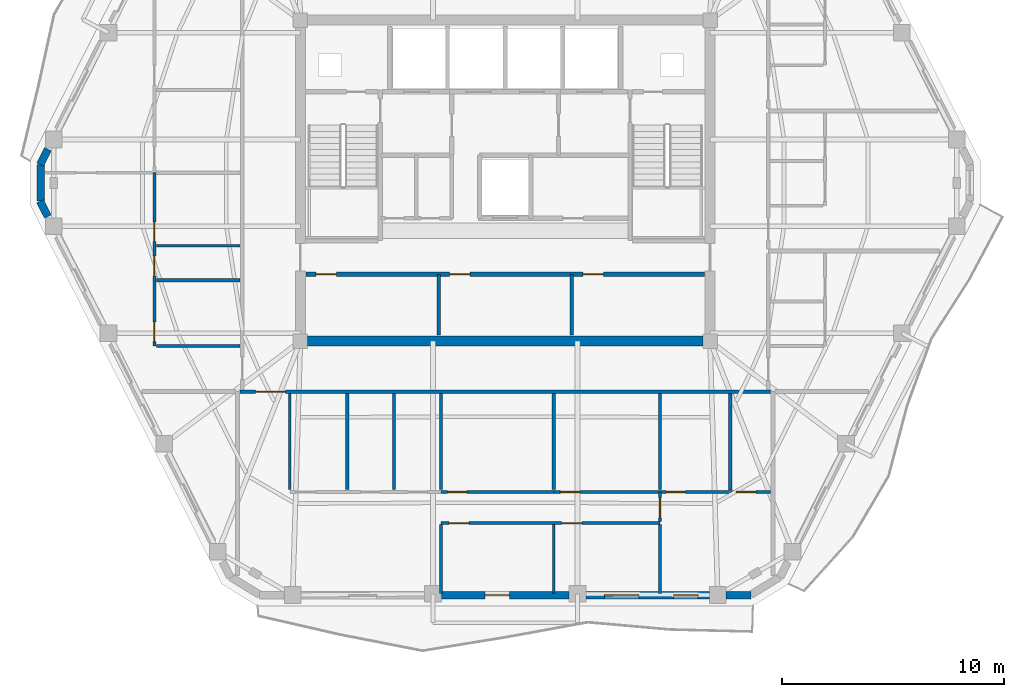
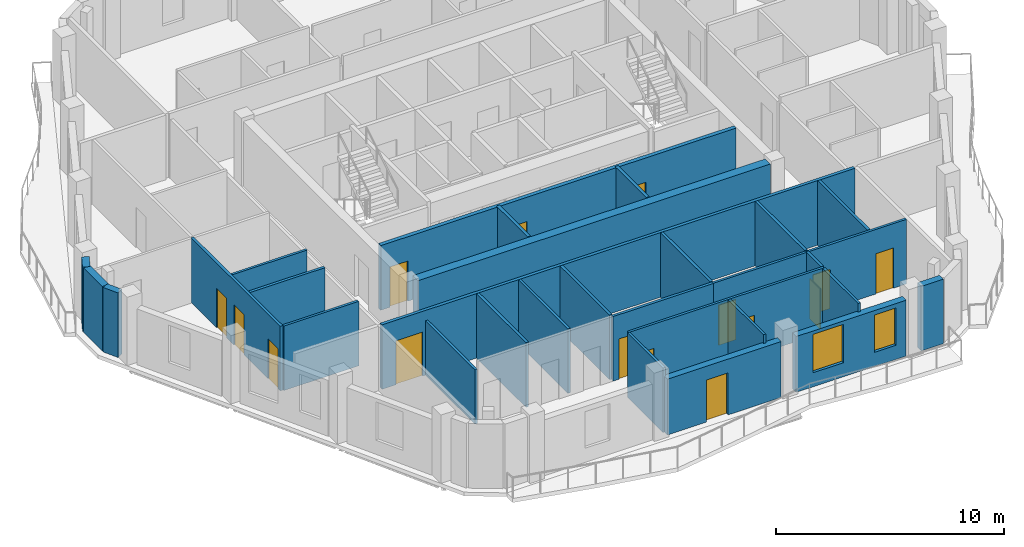
# One storey, part 4 of 11: 29 walls, 15 doors, 2 windows, 17 openings.
"""IFC4 building model written with IfcOpenShell, lengths in metres."""

import ifcopenshell
import ifcopenshell.guid

model = None  # the IFC model being written
_history = None  # IfcOwnerHistory: only IFC2X3 demands one
_inside = {}  # id of a spatial element -> (the spatial element, [elements in it])
_under = {}  # id of a project, library or spatial element -> (it, [spatial elements below it])
_declared = {}  # id of a project -> (the project, [libraries it declares])
_typed = {}  # id of a type object -> (the type object, [elements of that type])
_made_of = {}  # id of a material, layer set ... -> (it, [elements and type objects made of it])


def new_model(schema):
    """Start an empty IFC model of exactly this schema.

    Asked for "IFC4X3", IfcOpenShell would pick the latest addendum, in which some entities
    have other attributes; the version numbers below select the first issue.
    IFC2X3 requires an IfcOwnerHistory on every rooted entity: one is made here for all.
    """
    global model, _history
    if schema == "IFC4X3":
        model = ifcopenshell.file(schema_version=(4, 3, 0, 0))
    else:
        model = ifcopenshell.file(schema=schema)
    _inside.clear()
    _under.clear()
    _declared.clear()
    _typed.clear()
    _made_of.clear()
    _history = None
    if model.schema == "IFC2X3":
        org = make("IfcOrganization", Name="unknown")
        user = make(
            "IfcPersonAndOrganization",
            ThePerson=make("IfcPerson", FamilyName="unknown"),
            TheOrganization=org,
        )
        app = make(
            "IfcApplication",
            ApplicationDeveloper=org,
            Version="unknown",
            ApplicationFullName="unknown",
            ApplicationIdentifier="unknown",
        )
        _history = make(
            "IfcOwnerHistory",
            OwningUser=user,
            OwningApplication=app,
            ChangeAction="ADDED",
            CreationDate=0,
        )
    return model


def make(cls, **values):
    """One entity of the class cls with the attributes given. An attribute that is None is left unset."""
    return model.create_entity(
        cls, **{name: value for name, value in values.items() if value is not None}
    )


def rooted(cls, **values):
    """An entity with a GlobalId (a new one), such as an element, a storey or a relation."""
    return make(cls, GlobalId=ifcopenshell.guid.new(), OwnerHistory=_history, **values)


def si_unit(unit_type, name, prefix=None):
    """IfcSIUnit, for example si_unit("LENGTHUNIT", "METRE", prefix="MILLI")."""
    return make("IfcSIUnit", UnitType=unit_type, Prefix=prefix, Name=name)


def assignment(units):
    """IfcUnitAssignment: the units of a project."""
    return None if units is None else make("IfcUnitAssignment", Units=units)


def point(xyz):
    """IfcCartesianPoint."""
    return None if xyz is None else make("IfcCartesianPoint", Coordinates=xyz)


def direction(xyz):
    """IfcDirection."""
    return None if xyz is None else make("IfcDirection", DirectionRatios=xyz)


def frame(location, z_axis=None, x_axis=None):
    """IfcAxis2Placement3D, a coordinate frame: its origin and axes. An axis left out is left unset."""
    return make(
        "IfcAxis2Placement3D",
        Location=point(location),
        Axis=direction(z_axis),
        RefDirection=direction(x_axis),
    )


def frame_2d(location, x_axis=None):
    """IfcAxis2Placement2D, a coordinate frame in the plane: its origin and x axis."""
    return make(
        "IfcAxis2Placement2D", Location=point(location), RefDirection=direction(x_axis)
    )


def origin():
    """The frame at (0, 0, 0) with its axes left unset."""
    return frame((0.0, 0.0, 0.0))


def place(relative_to, where):
    """IfcLocalPlacement: puts the frame where relative to a parent placement (None: the world)."""
    return make(
        "IfcLocalPlacement", PlacementRelTo=relative_to, RelativePlacement=where
    )


def context(
    kind, dimensions, precision=None, world=None, true_north=None, identifier=None
):
    """IfcGeometricRepresentationContext, for example the 3D "Model" context."""
    return make(
        "IfcGeometricRepresentationContext",
        ContextIdentifier=identifier,
        ContextType=kind,
        CoordinateSpaceDimension=dimensions,
        Precision=precision,
        WorldCoordinateSystem=world,
        TrueNorth=true_north,
    )


def subcontext(parent, identifier, kind, view, scale=None):
    """IfcGeometricRepresentationSubContext, for example "Body" below "Model"."""
    return make(
        "IfcGeometricRepresentationSubContext",
        ContextIdentifier=identifier,
        ContextType=kind,
        ParentContext=parent,
        TargetScale=scale,
        TargetView=view,
    )


def project(units=None, contexts=None):
    """IfcProject with its units and contexts."""
    return rooted(
        "IfcProject",
        Name="project",
        RepresentationContexts=contexts,
        UnitsInContext=assignment(units),
    )


def spatial(cls, under=None, at=None, **own):
    """A site, building, storey or space (cls), placed at a placement, below another one or the project."""
    s = rooted(cls, ObjectPlacement=at, **own)
    if under is not None:
        _under.setdefault(under.id(), (under, []))[1].append(s)
    return s


def profile(cls, at=None, kind="AREA", **sizes):
    """A parametric profile (cls). Its sizes go by their IFC names, for example OverallWidth=200.0."""
    return make(cls, ProfileType=kind, Position=at, **sizes)


def rectangle(**sizes):
    """IfcRectangleProfileDef."""
    return profile("IfcRectangleProfileDef", **sizes)


def extrude(swept, where, along, depth):
    """IfcExtrudedAreaSolid: the profile swept, set in the frame where, extruded along a direction by depth."""
    return make(
        "IfcExtrudedAreaSolid",
        SweptArea=swept,
        Position=where,
        ExtrudedDirection=direction(along),
        Depth=depth,
    )


def shape(context_of_items, identifier, shape_type, items):
    """IfcShapeRepresentation: the items that make up one representation, for example the "Body"."""
    return make(
        "IfcShapeRepresentation",
        ContextOfItems=context_of_items,
        RepresentationIdentifier=identifier,
        RepresentationType=shape_type,
        Items=items,
    )


def material(Name=None, Category=None):
    """IfcMaterial."""
    return make("IfcMaterial", Name=Name, Category=Category)


def layer(
    of_material, thickness, ventilated=None, Name=None, Category=None, Priority=None
):
    """IfcMaterialLayer: one layer of a wall or slab, of a material (None: an air gap)."""
    return make(
        "IfcMaterialLayer",
        Material=of_material,
        LayerThickness=thickness,
        IsVentilated=ventilated,
        Name=Name,
        Category=Category,
        Priority=Priority,
    )


def layer_set(layers, Name=None):
    """IfcMaterialLayerSet."""
    return make("IfcMaterialLayerSet", MaterialLayers=layers, LayerSetName=Name)


def made_of(thing, what):
    """Note that an element or type object is made of a material, layer set ...; save() writes the relation."""
    if what is not None:
        _made_of.setdefault(what.id(), (what, []))[1].append(thing)
    return thing


def type_object(cls, material=None, **own):
    """A type object (cls), such as IfcWallType, which elements share."""
    return made_of(rooted(cls, **own), material)


def element(
    cls,
    number,
    at=None,
    inside=None,
    cuts=None,
    type_object=None,
    material=None,
    context=None,
    identifier="Body",
    shape_type=None,
    held_by="IfcProductDefinitionShape",
    body=None,
    shapes=None,
    **own,
):
    """One element of the class cls, such as IfcWall. Its Tag is "e" and its number.

    at: its placement. inside: the storey or other place that contains it. cuts: it is an
    opening in that element (IfcRelVoidsElement). A single representation is given by context,
    identifier, shape_type and body (its items); several are given by shapes. held_by: the class
    of the entity that holds the representations. save() writes the other relations.
    """
    e = rooted(cls, Tag="e%d" % number, ObjectPlacement=at, **own)
    if body is not None:
        shapes = [shape(context, identifier, shape_type, body)]
    if shapes is not None:
        e.Representation = make(held_by, Representations=shapes)
    if inside is not None:
        _inside.setdefault(inside.id(), (inside, []))[1].append(e)
    if cuts is not None:
        rooted(
            "IfcRelVoidsElement", RelatingBuildingElement=cuts, RelatedOpeningElement=e
        )
    if type_object is not None:
        _typed.setdefault(type_object.id(), (type_object, []))[1].append(e)
    return made_of(e, material)


def fill(opening, filler):
    """IfcRelFillsElement: the door or window that sits in an opening."""
    return rooted(
        "IfcRelFillsElement",
        RelatingOpeningElement=opening,
        RelatedBuildingElement=filler,
    )


def aggregate(whole, parts):
    """IfcRelAggregates: a whole, such as a stair, and the parts it consists of."""
    return rooted("IfcRelAggregates", RelatingObject=whole, RelatedObjects=parts)


def save(model, path):
    """Write the relations noted so far, then the file.

    IfcRelAggregates (storeys below a building ...), IfcRelContainedInSpatialStructure (elements
    in a storey), IfcRelDefinesByType, IfcRelAssociatesMaterial and IfcRelDeclares: one each for
    every whole, place, type object, material and project.
    """
    for whole, parts in _under.values():
        aggregate(whole, parts)
    for where, things in _inside.values():
        rooted(
            "IfcRelContainedInSpatialStructure",
            RelatedElements=things,
            RelatingStructure=where,
        )
    for kind, things in _typed.values():
        rooted("IfcRelDefinesByType", RelatedObjects=things, RelatingType=kind)
    for what, things in _made_of.values():
        rooted("IfcRelAssociatesMaterial", RelatedObjects=things, RelatingMaterial=what)
    for by, libraries in _declared.values():
        rooted("IfcRelDeclares", RelatingContext=by, RelatedDefinitions=libraries)
    model.write(path)


model = new_model("IFC4")

# Units and contexts
model_context = context("Model", 3, precision=1e-05, world=origin(), true_north=direction((0.0, 1.0)))
body_context = subcontext(model_context, "Body", "Model", "MODEL_VIEW")
ifc_project = project(units=[si_unit("LENGTHUNIT", "METRE"), si_unit("AREAUNIT", "SQUARE_METRE"), si_unit("VOLUMEUNIT", "CUBIC_METRE"), si_unit("PLANEANGLEUNIT", "RADIAN"), si_unit("MASSUNIT", "GRAM", prefix="KILO")], contexts=[model_context])

# Site, building, storey
site_placement = place(None, origin())
site = spatial("IfcSite", under=ifc_project, at=site_placement, CompositionType="ELEMENT")
building_placement = place(site_placement, origin())
building = spatial("IfcBuilding", under=site, at=building_placement, Name="Cinnabar Lancet Tower", CompositionType="ELEMENT")
storey_placement = place(building_placement, frame((0.0, 0.0, 252.550048828125)))
storey = spatial("IfcBuildingStorey", under=building, at=storey_placement, Name="L67", CompositionType="ELEMENT", Elevation=252.550048828125)

# Walls
ifc_material_1 = material(Name="Acoustic twin-stud gypsum partition", Category="gypsum")
ifc_layer_1 = layer(ifc_material_1, 0.159912109375)
ifc_layer_set_1 = layer_set([ifc_layer_1], Name="Acoustic twin-stud gypsum partition")
wall_type_1 = type_object("IfcWallType", Name="ARC-WL-CORR-160", PredefinedType="PARTITIONING", material=ifc_layer_set_1)
for number, where, z_axis, x_axis, name in (
    (1, (29.39990234375, 18.949951171875, 0.0), (0.0, 0.0, 1.0), (0.0, 1.0, 0.0), "CW-SB-2940-L67"),
    (2, (35.39990234375, 18.949951171875, 0.0), (0.0, 0.0, 1.0), (0.0, 1.0, 0.0), "CW-SB-3540-L67"),
):
    element("IfcWall", number, at=place(storey_placement, frame(where, z_axis=z_axis, x_axis=x_axis)), inside=storey, type_object=wall_type_1, Name=name, PredefinedType="PARTITIONING", context=body_context, shape_type="SweptSolid", body=[
        extrude(rectangle(XDim=2.72998046875, YDim=0.159912109375, at=frame_2d((1.364990234375, 0.0))), origin(), (0.0, 0.0, 1.0), 3.449951171875),
    ])

# Wall, opening, door
wall_1_placement = place(storey_placement, frame((20.445068359375, 16.39990234375, 0.0), z_axis=(0.0, 0.0, 1.0), x_axis=(1.0, 0.0, 0.0)))
wall_1 = element("IfcWall", 3, at=wall_1_placement, inside=storey, type_object=wall_type_1, Name="L67 Unit S01 Corridor Wall", PredefinedType="PARTITIONING", context=body_context, shape_type="SweptSolid", body=[
    extrude(rectangle(XDim=23.909912109375, YDim=0.159912109375, at=frame_2d((11.955078125, 0.0))), origin(), (0.0, 0.0, 1.0), 3.449951171875),
])
opening_1_placement = place(wall_1_placement, frame((0.705078125, 0.0, 0.0)))
opening_1 = element("IfcOpeningElement", 4, at=opening_1_placement, cuts=wall_1, Name="Opening UD-02", PredefinedType="OPENING", context=body_context, shape_type="SweptSolid", body=[
    extrude(rectangle(XDim=1.35009765625, YDim=2.35009765625, at=frame_2d((0.675048828125, 1.175048828125))), frame((0.0, 0.08984375, 0.0), z_axis=(0.0, -1.0, 0.0), x_axis=(1.0, 0.0, 0.0)), (0.0, 0.0, 1.0), 0.179931640625),
])
ifc_material_2 = material(Name="Double-leaf solid timber penthouse entrance door", Category="wood")
door_type_1 = type_object("IfcDoorType", Name="ARC-DR-UNIT-PH", OperationType="NOTDEFINED", PredefinedType="DOOR", material=ifc_material_2)
door_1_placement = place(opening_1_placement, origin())
door_1 = element("IfcDoor", 5, at=door_1_placement, inside=storey, type_object=door_type_1, Name="DR-L67-S01-ENT", OperationType="SINGLE_SWING_LEFT", OverallHeight=2.35009765625, OverallWidth=1.35009765625, PredefinedType="DOOR", context=body_context, shape_type="SweptSolid", body=[
    extrude(rectangle(XDim=1.35009765625, YDim=2.35009765625, at=frame_2d((0.675048828125, 1.175048828125))), frame((0.0, 0.02490234375, 0.0), z_axis=(0.0, -1.0, 0.0), x_axis=(1.0, 0.0, 0.0)), (0.0, 0.0, 1.0), 0.050048828125),
])
fill(opening_1, door_1)

# Wall, openings, doors
ifc_material_3 = material(Name="Autoclaved aerated concrete blockwork", Category="masonry")
ifc_layer_2 = layer(ifc_material_3, 0.199951171875)
ifc_layer_set_2 = layer_set([ifc_layer_2], Name="Autoclaved aerated concrete blockwork")
wall_type_2 = type_object("IfcWallType", Name="ARC-WL-SHAFT-200", PredefinedType="PLUMBINGWALL", material=ifc_layer_set_2)
wall_2_placement = place(storey_placement, frame((23.419921875, 21.679931640625, 0.0), z_axis=(0.0, 0.0, 1.0), x_axis=(1.0, 0.0, 0.0)))
wall_2 = element("IfcWall", 6, at=wall_2_placement, inside=storey, type_object=wall_type_2, Name="CW-SBANDN-L67", PredefinedType="PLUMBINGWALL", context=body_context, shape_type="SweptSolid", body=[
    extrude(rectangle(XDim=17.9599609375, YDim=0.199951171875, at=frame_2d((8.97998046875, 0.0))), origin(), (0.0, 0.0, 1.0), 3.449951171875),
])
opening_2_placement = place(wall_2_placement, frame((0.4599609375, 0.0, 0.0)))
opening_2 = element("IfcOpeningElement", 7, at=opening_2_placement, cuts=wall_2, Name="Opening RD-01", PredefinedType="OPENING", context=body_context, shape_type="SweptSolid", body=[
    extrude(rectangle(XDim=0.919921875, YDim=2.14990234375, at=frame_2d((0.4599609375, 1.074951171875))), frame((0.0, 0.10986328125, 0.0), z_axis=(0.0, -1.0, 0.0), x_axis=(1.0, 0.0, 0.0)), (0.0, 0.0, 1.0), 0.219970703125),
])
opening_3_placement = place(wall_2_placement, frame((6.47998046875, 0.0, 0.0)))
opening_3 = element("IfcOpeningElement", 8, at=opening_3_placement, cuts=wall_2, Name="Opening RD-01", PredefinedType="OPENING", context=body_context, shape_type="SweptSolid", body=[
    extrude(rectangle(XDim=0.919921875, YDim=2.14990234375, at=frame_2d((0.4599609375, 1.074951171875))), frame((0.0, 0.10986328125, 0.0), z_axis=(0.0, -1.0, 0.0), x_axis=(1.0, 0.0, 0.0)), (0.0, 0.0, 1.0), 0.219970703125),
])
opening_4_placement = place(wall_2_placement, frame((12.47998046875, 0.0, 0.0)))
opening_4 = element("IfcOpeningElement", 9, at=opening_4_placement, cuts=wall_2, Name="Opening RD-01", PredefinedType="OPENING", context=body_context, shape_type="SweptSolid", body=[
    extrude(rectangle(XDim=0.919921875, YDim=2.14990234375, at=frame_2d((0.4599609375, 1.074951171875))), frame((0.0, 0.10986328125, 0.0), z_axis=(0.0, -1.0, 0.0), x_axis=(1.0, 0.0, 0.0)), (0.0, 0.0, 1.0), 0.219970703125),
])
ifc_material_4 = material(Name="Engineered timber bedroom door", Category="wood")
door_type_2 = type_object("IfcDoorType", Name="ARC-DR-ROOM", OperationType="NOTDEFINED", PredefinedType="DOOR", material=ifc_material_4)
door_2_placement = place(opening_2_placement, origin())
door_2 = element("IfcDoor", 10, at=door_2_placement, inside=storey, type_object=door_type_2, Name="DR-L67-HREC1", OperationType="SINGLE_SWING_LEFT", OverallHeight=2.14990234375, OverallWidth=0.919921875, PredefinedType="DOOR", context=body_context, shape_type="SweptSolid", body=[
    extrude(rectangle(XDim=0.919921875, YDim=2.14990234375, at=frame_2d((0.4599609375, 1.074951171875))), frame((0.0, 0.02490234375, 0.0), z_axis=(0.0, -1.0, 0.0), x_axis=(1.0, 0.0, 0.0)), (0.0, 0.0, 1.0), 0.050048828125),
])
fill(opening_2, door_2)
door_3_placement = place(opening_3_placement, origin())
door_3 = element("IfcDoor", 11, at=door_3_placement, inside=storey, type_object=door_type_2, Name="DR-L67-HREC2", OperationType="SINGLE_SWING_RIGHT", OverallHeight=2.14990234375, OverallWidth=0.919921875, PredefinedType="DOOR", context=body_context, shape_type="SweptSolid", body=[
    extrude(rectangle(XDim=0.919921875, YDim=2.14990234375, at=frame_2d((0.4599609375, 1.074951171875))), frame((0.0, 0.02490234375, 0.0), z_axis=(0.0, -1.0, 0.0), x_axis=(1.0, 0.0, 0.0)), (0.0, 0.0, 1.0), 0.050048828125),
])
fill(opening_3, door_3)
door_4_placement = place(opening_4_placement, origin())
door_4 = element("IfcDoor", 12, at=door_4_placement, inside=storey, type_object=door_type_2, Name="DR-L67-HREC3", OperationType="SINGLE_SWING_LEFT", OverallHeight=2.14990234375, OverallWidth=0.919921875, PredefinedType="DOOR", context=body_context, shape_type="SweptSolid", body=[
    extrude(rectangle(XDim=0.919921875, YDim=2.14990234375, at=frame_2d((0.4599609375, 1.074951171875))), frame((0.0, 0.02490234375, 0.0), z_axis=(0.0, -1.0, 0.0), x_axis=(1.0, 0.0, 0.0)), (0.0, 0.0, 1.0), 0.050048828125),
])
fill(opening_4, door_4)

# Wall
ifc_material_5 = material(Name="Gypsum plasterboard stud partition", Category="gypsum")
ifc_layer_3 = layer(ifc_material_5, 0.125)
ifc_layer_set_3 = layer_set([ifc_layer_3], Name="Gypsum plasterboard stud partition")
wall_type_3 = type_object("IfcWallType", Name="ARC-WL-UNIT-125", PredefinedType="PARTITIONING", material=ifc_layer_set_3)
wall_3_placement = place(storey_placement, frame((22.699951171875, 11.98388671875, 0.0), z_axis=(0.0, 0.0, 1.0), x_axis=(0.0, 1.0, 0.0)))
element("IfcWall", 13, at=wall_3_placement, inside=storey, type_object=wall_type_3, Name="UW-L67-S01-FOYE", PredefinedType="PARTITIONING", context=body_context, shape_type="SweptSolid", body=[
    extrude(rectangle(XDim=4.3310546875, YDim=0.125, at=frame_2d((2.16552734375, 0.0))), origin(), (0.0, 0.0, 1.0), 2.906982421875),
])

# Wall, openings, doors
wall_4_placement = place(storey_placement, frame((34.587890625, 11.87890625, 0.0), z_axis=(0.0, 0.0, 1.0), x_axis=(1.0, 0.0, 0.0)))
wall_4 = element("IfcWall", 14, at=wall_4_placement, inside=storey, type_object=wall_type_3, Name="UW-L67-S01-SP2", PredefinedType="PARTITIONING", context=body_context, shape_type="SweptSolid", body=[
    extrude(rectangle(XDim=9.76708984375, YDim=0.125, at=frame_2d((4.883544921875, 0.0))), origin(), (0.0, 0.0, 1.0), 3.449951171875),
])
opening_5_placement = place(wall_4_placement, frame((5.06201171875, 0.0, 0.0)))
opening_5 = element("IfcOpeningElement", 15, at=opening_5_placement, cuts=wall_4, Name="Opening BD-01", PredefinedType="OPENING", context=body_context, shape_type="SweptSolid", body=[
    extrude(rectangle(XDim=0.860107421875, YDim=2.10009765625, at=frame_2d((0.43017578125, 1.050048828125))), frame((0.0, 0.072509765625, 0.0), z_axis=(0.0, -1.0, 0.0), x_axis=(1.0, 0.0, 0.0)), (0.0, 0.0, 1.0), 0.14501953125),
])
opening_6_placement = place(wall_4_placement, frame((8.22607421875, 0.0, 0.0)))
opening_6 = element("IfcOpeningElement", 16, at=opening_6_placement, cuts=wall_4, Name="Opening RD-02", PredefinedType="OPENING", context=body_context, shape_type="SweptSolid", body=[
    extrude(rectangle(XDim=0.8798828125, YDim=2.14990234375, at=frame_2d((0.43994140625, 1.074951171875))), frame((0.0, 0.072509765625, 0.0), z_axis=(0.0, -1.0, 0.0), x_axis=(1.0, 0.0, 0.0)), (0.0, 0.0, 1.0), 0.14501953125),
])
opening_7_placement = place(wall_4_placement, frame((0.300048828125, 0.0, 0.0)))
opening_7 = element("IfcOpeningElement", 17, at=opening_7_placement, cuts=wall_4, Name="Opening RD-02", PredefinedType="OPENING", context=body_context, shape_type="SweptSolid", body=[
    extrude(rectangle(XDim=0.8798828125, YDim=2.14990234375, at=frame_2d((0.43994140625, 1.074951171875))), frame((0.0, 0.072509765625, 0.0), z_axis=(0.0, -1.0, 0.0), x_axis=(1.0, 0.0, 0.0)), (0.0, 0.0, 1.0), 0.14501953125),
])
ifc_material_6 = material(Name="Moisture-resistant timber bathroom door", Category="wood")
door_type_3 = type_object("IfcDoorType", Name="ARC-DR-BATH", OperationType="NOTDEFINED", PredefinedType="DOOR", material=ifc_material_6)
door_5_placement = place(opening_5_placement, origin())
door_5 = element("IfcDoor", 18, at=door_5_placement, inside=storey, type_object=door_type_3, Name="DR-L67-S01-ENS", OperationType="SINGLE_SWING_RIGHT", OverallHeight=2.10009765625, OverallWidth=0.860107421875, PredefinedType="DOOR", context=body_context, shape_type="SweptSolid", body=[
    extrude(rectangle(XDim=0.860107421875, YDim=2.10009765625, at=frame_2d((0.43017578125, 1.050048828125))), frame((0.0, 0.02490234375, 0.0), z_axis=(0.0, -1.0, 0.0), x_axis=(1.0, 0.0, 0.0)), (0.0, 0.0, 1.0), 0.050048828125),
])
fill(opening_5, door_5)
ifc_material_7 = material(Name="Engineered timber study door", Category="wood")
door_type_4 = type_object("IfcDoorType", Name="ARC-DR-STUDY", OperationType="NOTDEFINED", PredefinedType="DOOR", material=ifc_material_7)
door_6_placement = place(opening_6_placement, origin())
door_6 = element("IfcDoor", 19, at=door_6_placement, inside=storey, type_object=door_type_4, Name="DR-L67-S01-ENS-WDR", OperationType="SINGLE_SWING_LEFT", OverallHeight=2.14990234375, OverallWidth=0.8798828125, PredefinedType="DOOR", context=body_context, shape_type="SweptSolid", body=[
    extrude(rectangle(XDim=0.8798828125, YDim=2.14990234375, at=frame_2d((0.43994140625, 1.074951171875))), frame((0.0, 0.02490234375, 0.0), z_axis=(0.0, -1.0, 0.0), x_axis=(1.0, 0.0, 0.0)), (0.0, 0.0, 1.0), 0.050048828125),
])
fill(opening_6, door_6)
door_7_placement = place(opening_7_placement, origin())
door_7 = element("IfcDoor", 20, at=door_7_placement, inside=storey, type_object=door_type_4, Name="DR-L67-S01-DRS", OperationType="SINGLE_SWING_LEFT", OverallHeight=2.14990234375, OverallWidth=0.8798828125, PredefinedType="DOOR", context=body_context, shape_type="SweptSolid", body=[
    extrude(rectangle(XDim=0.8798828125, YDim=2.14990234375, at=frame_2d((0.43994140625, 1.074951171875))), frame((0.0, 0.02490234375, 0.0), z_axis=(0.0, -1.0, 0.0), x_axis=(1.0, 0.0, 0.0)), (0.0, 0.0, 1.0), 0.050048828125),
])
fill(opening_7, door_7)

# Walls
wall_5_placement = place(storey_placement, frame((27.39794921875, 11.98388671875, 0.0), z_axis=(0.0, 0.0, 1.0), x_axis=(0.0, 1.0, 0.0)))
element("IfcWall", 21, at=wall_5_placement, inside=storey, type_object=wall_type_3, Name="UW-L67-S01-STD", PredefinedType="PARTITIONING", context=body_context, shape_type="SweptSolid", body=[
    extrude(rectangle(XDim=4.3310546875, YDim=0.125, at=frame_2d((2.16552734375, 0.0))), origin(), (0.0, 0.0, 1.0), 3.449951171875),
])
wall_6_placement = place(storey_placement, frame((29.508056640625, 7.31494140625, 0.0), z_axis=(0.0, 0.0, 1.0), x_axis=(0.0, 1.0, 0.0)))
element("IfcWall", 22, at=wall_6_placement, inside=storey, type_object=wall_type_3, Name="UW-L67-S01-BD2W", PredefinedType="PARTITIONING", context=body_context, shape_type="SweptSolid", body=[
    extrude(rectangle(XDim=3.09912109375, YDim=0.125, at=frame_2d((1.549560546875, 0.0))), origin(), (0.0, 0.0, 1.0), 3.449951171875),
])

# Wall, openings, doors
wall_7_placement = place(storey_placement, frame((29.508056640625, 10.47900390625, 0.0), z_axis=(0.0, 0.0, 1.0), x_axis=(1.0, 0.0, 0.0)))
wall_7 = element("IfcWall", 23, at=wall_7_placement, inside=storey, type_object=wall_type_3, Name="UW-L67-S01-HLN", PredefinedType="PARTITIONING", context=body_context, shape_type="SweptSolid", body=[
    extrude(rectangle(XDim=9.862060546875, YDim=0.125, at=frame_2d((4.93115234375, 0.0))), origin(), (0.0, 0.0, 1.0), 3.449951171875),
])
opening_8_placement = place(wall_7_placement, frame((0.35009765625, 0.0, 0.0)))
opening_8 = element("IfcOpeningElement", 24, at=opening_8_placement, cuts=wall_7, Name="Opening RD-01", PredefinedType="OPENING", context=body_context, shape_type="SweptSolid", body=[
    extrude(rectangle(XDim=0.919921875, YDim=2.14990234375, at=frame_2d((0.4599609375, 1.074951171875))), frame((0.0, 0.072509765625, 0.0), z_axis=(0.0, -1.0, 0.0), x_axis=(1.0, 0.0, 0.0)), (0.0, 0.0, 1.0), 0.14501953125),
])
opening_9_placement = place(wall_7_placement, frame((5.429931640625, 0.0, 0.0)))
opening_9 = element("IfcOpeningElement", 25, at=opening_9_placement, cuts=wall_7, Name="Opening RD-01", PredefinedType="OPENING", context=body_context, shape_type="SweptSolid", body=[
    extrude(rectangle(XDim=0.919921875, YDim=2.14990234375, at=frame_2d((0.4599609375, 1.074951171875))), frame((0.0, 0.072509765625, 0.0), z_axis=(0.0, -1.0, 0.0), x_axis=(1.0, 0.0, 0.0)), (0.0, 0.0, 1.0), 0.14501953125),
])
door_8_placement = place(opening_8_placement, origin())
door_8 = element("IfcDoor", 26, at=door_8_placement, inside=storey, type_object=door_type_2, Name="DR-L67-S01-BD2", OperationType="SINGLE_SWING_RIGHT", OverallHeight=2.14990234375, OverallWidth=0.919921875, PredefinedType="DOOR", context=body_context, shape_type="SweptSolid", body=[
    extrude(rectangle(XDim=0.919921875, YDim=2.14990234375, at=frame_2d((0.4599609375, 1.074951171875))), frame((0.0, 0.02490234375, 0.0), z_axis=(0.0, -1.0, 0.0), x_axis=(1.0, 0.0, 0.0)), (0.0, 0.0, 1.0), 0.050048828125),
])
fill(opening_8, door_8)
door_9_placement = place(opening_9_placement, origin())
door_9 = element("IfcDoor", 27, at=door_9_placement, inside=storey, type_object=door_type_2, Name="DR-L67-S01-BD3", OperationType="SINGLE_SWING_LEFT", OverallHeight=2.14990234375, OverallWidth=0.919921875, PredefinedType="DOOR", context=body_context, shape_type="SweptSolid", body=[
    extrude(rectangle(XDim=0.919921875, YDim=2.14990234375, at=frame_2d((0.4599609375, 1.074951171875))), frame((0.0, 0.02490234375, 0.0), z_axis=(0.0, -1.0, 0.0), x_axis=(1.0, 0.0, 0.0)), (0.0, 0.0, 1.0), 0.050048828125),
])
fill(opening_9, door_9)

# Wall, opening, door
wall_8_placement = place(storey_placement, frame((39.3701171875, 10.549072265625, 0.0), z_axis=(0.0, 0.0, 1.0), x_axis=(0.0, 1.0, 0.0)))
wall_8 = element("IfcWall", 28, at=wall_8_placement, inside=storey, type_object=wall_type_3, Name="UW-L67-S01-MBE", PredefinedType="PARTITIONING", context=body_context, shape_type="SweptSolid", body=[
    extrude(rectangle(XDim=1.329833984375, YDim=0.125, at=frame_2d((0.6650390625, 0.0))), origin(), (0.0, 0.0, 1.0), 3.449951171875),
])
opening_10_placement = place(wall_8_placement, frame((0.159912109375, 0.0, 0.0)))
opening_10 = element("IfcOpeningElement", 29, at=opening_10_placement, cuts=wall_8, Name="Opening RD-01", PredefinedType="OPENING", context=body_context, shape_type="SweptSolid", body=[
    extrude(rectangle(XDim=0.919921875, YDim=2.14990234375, at=frame_2d((0.4599609375, 1.074951171875))), frame((0.0, 0.072509765625, 0.0), z_axis=(0.0, -1.0, 0.0), x_axis=(1.0, 0.0, 0.0)), (0.0, 0.0, 1.0), 0.14501953125),
])
door_10_placement = place(opening_10_placement, origin())
door_10 = element("IfcDoor", 30, at=door_10_placement, inside=storey, type_object=door_type_2, Name="DR-L67-S01-MBD", OperationType="SINGLE_SWING_RIGHT", OverallHeight=2.14990234375, OverallWidth=0.919921875, PredefinedType="DOOR", context=body_context, shape_type="SweptSolid", body=[
    extrude(rectangle(XDim=0.919921875, YDim=2.14990234375, at=frame_2d((0.4599609375, 1.074951171875))), frame((0.0, 0.02490234375, 0.0), z_axis=(0.0, -1.0, 0.0), x_axis=(1.0, 0.0, 0.0)), (0.0, 0.0, 1.0), 0.050048828125),
])
fill(opening_10, door_10)

# Walls
for number, where, z_axis, x_axis, name in (
    (31, (34.587890625, 7.31494140625, 0.0), (0.0, 0.0, 1.0), (0.0, 1.0, 0.0), "UW-L67-S01-MB2W"),
    (32, (39.3701171875, 7.31494140625, 0.0), (0.0, 0.0, 1.0), (0.0, 1.0, 0.0), "UW-L67-S01-B23W"),
):
    element("IfcWall", number, at=place(storey_placement, frame(where, z_axis=z_axis, x_axis=x_axis)), inside=storey, type_object=wall_type_3, Name=name, PredefinedType="PARTITIONING", context=body_context, shape_type="SweptSolid", body=[
        extrude(rectangle(XDim=3.09912109375, YDim=0.125, at=frame_2d((1.549560546875, 0.0))), origin(), (0.0, 0.0, 1.0), 3.449951171875),
    ])
for number, where, z_axis, x_axis, name in (
    (33, (16.68505859375, 18.449951171875, 0.0), (0.0, 0.0, 1.0), (1.0, 0.0, 0.0), "UW-L67-W01-FOYN"),
    (34, (16.68505859375, 22.967041015625, 0.0), (0.0, 0.0, 1.0), (1.0, 0.0, 0.0), "UW-L67-W01-UDV"),
):
    element("IfcWall", number, at=place(storey_placement, frame(where, z_axis=z_axis, x_axis=x_axis)), inside=storey, type_object=wall_type_3, Name=name, PredefinedType="PARTITIONING", context=body_context, shape_type="SweptSolid", body=[
        extrude(rectangle(XDim=3.780029296875, YDim=0.125, at=frame_2d((1.89013671875, 0.0))), origin(), (0.0, 0.0, 1.0), 3.449951171875),
    ])

# Wall, opening, door
ifc_material_8 = material(Name="Moisture-resistant cement-board plumbing wall", Category="masonry")
ifc_layer_4 = layer(ifc_material_8, 0.139892578125)
ifc_layer_set_4 = layer_set([ifc_layer_4], Name="Moisture-resistant cement-board plumbing wall")
wall_type_4 = type_object("IfcWallType", Name="ARC-WL-WET-140", PredefinedType="PLUMBINGWALL", material=ifc_layer_set_4)
wall_9_placement = place(storey_placement, frame((29.508056640625, 11.87890625, 0.0), z_axis=(0.0, 0.0, 1.0), x_axis=(1.0, 0.0, 0.0)))
wall_9 = element("IfcWall", 35, at=wall_9_placement, inside=storey, type_object=wall_type_4, Name="UW-L67-S01-SPM", PredefinedType="PLUMBINGWALL", context=body_context, shape_type="SweptSolid", body=[
    extrude(rectangle(XDim=5.079833984375, YDim=0.139892578125, at=frame_2d((2.5400390625, 0.0))), origin(), (0.0, 0.0, 1.0), 3.449951171875),
])
opening_11_placement = place(wall_9_placement, frame((0.300048828125, 0.0, 0.0)))
opening_11 = element("IfcOpeningElement", 36, at=opening_11_placement, cuts=wall_9, Name="Opening RD-02", PredefinedType="OPENING", context=body_context, shape_type="SweptSolid", body=[
    extrude(rectangle(XDim=0.8798828125, YDim=2.14990234375, at=frame_2d((0.43994140625, 1.074951171875))), frame((0.0, 0.079833984375, 0.0), z_axis=(0.0, -1.0, 0.0), x_axis=(1.0, 0.0, 0.0)), (0.0, 0.0, 1.0), 0.159912109375),
])
door_11_placement = place(opening_11_placement, origin())
door_11 = element("IfcDoor", 37, at=door_11_placement, inside=storey, type_object=door_type_4, Name="DR-L67-S01-UTL", OperationType="SINGLE_SWING_LEFT", OverallHeight=2.14990234375, OverallWidth=0.8798828125, PredefinedType="DOOR", context=body_context, shape_type="SweptSolid", body=[
    extrude(rectangle(XDim=0.8798828125, YDim=2.14990234375, at=frame_2d((0.43994140625, 1.074951171875))), frame((0.0, 0.02490234375, 0.0), z_axis=(0.0, -1.0, 0.0), x_axis=(1.0, 0.0, 0.0)), (0.0, 0.0, 1.0), 0.050048828125),
])
fill(opening_11, door_11)

# Walls
for number, where, z_axis, x_axis, name in (
    (38, (25.287109375, 11.98388671875, 0.0), (0.0, 0.0, 1.0), (0.0, 1.0, 0.0), "UW-L67-S01-KDV"),
    (39, (29.508056640625, 11.98388671875, 0.0), (0.0, 0.0, 1.0), (0.0, 1.0, 0.0), "UW-L67-S01-ENSW"),
    (40, (34.587890625, 11.98388671875, 0.0), (0.0, 0.0, 1.0), (0.0, 1.0, 0.0), "UW-L67-S01-ENSE"),
    (41, (39.3701171875, 11.98388671875, 0.0), (0.0, 0.0, 1.0), (0.0, 1.0, 0.0), "UW-L67-S01-UT3"),
):
    element("IfcWall", number, at=place(storey_placement, frame(where, z_axis=z_axis, x_axis=x_axis)), inside=storey, type_object=wall_type_4, Name=name, PredefinedType="PLUMBINGWALL", context=body_context, shape_type="SweptSolid", body=[
        extrude(rectangle(XDim=4.3310546875, YDim=0.139892578125, at=frame_2d((2.16552734375, 0.0))), origin(), (0.0, 0.0, 1.0), 3.449951171875),
    ])
wall_10_placement = place(storey_placement, frame((42.533935546875, 11.964111328125, 0.0), z_axis=(0.0, 0.0, 1.0), x_axis=(0.0, 1.0, 0.0)))
element("IfcWall", 42, at=wall_10_placement, inside=storey, type_object=wall_type_4, Name="UW-L67-S01-ENS-WDV", PredefinedType="PLUMBINGWALL", context=body_context, shape_type="SweptSolid", body=[
    extrude(rectangle(XDim=4.350830078125, YDim=0.139892578125, at=frame_2d((2.17529296875, 0.0))), origin(), (0.0, 0.0, 1.0), 3.449951171875),
])

# Wall, openings, doors
wall_11_placement = place(storey_placement, frame((16.60009765625, 18.449951171875, 0.0), z_axis=(0.0, 0.0, 1.0), x_axis=(0.0, 1.0, 0.0)))
wall_11 = element("IfcWall", 43, at=wall_11_placement, inside=storey, type_object=wall_type_4, Name="UW-L67-W01-SPL", PredefinedType="PLUMBINGWALL", context=body_context, shape_type="SweptSolid", body=[
    extrude(rectangle(XDim=7.80810546875, YDim=0.139892578125, at=frame_2d((3.904052734375, 0.0))), origin(), (0.0, 0.0, 1.0), 3.449951171875),
])
opening_12_placement = place(wall_11_placement, frame((0.199951171875, 0.0, 0.0)))
opening_12 = element("IfcOpeningElement", 44, at=opening_12_placement, cuts=wall_11, Name="Opening RD-02", PredefinedType="OPENING", context=body_context, shape_type="SweptSolid", body=[
    extrude(rectangle(XDim=0.8798828125, YDim=2.14990234375, at=frame_2d((0.43994140625, 1.074951171875))), frame((0.0, 0.079833984375, 0.0), z_axis=(0.0, -1.0, 0.0), x_axis=(1.0, 0.0, 0.0)), (0.0, 0.0, 1.0), 0.159912109375),
])
opening_13_placement = place(wall_11_placement, frame((3.1669921875, 0.0, 0.0)))
opening_13 = element("IfcOpeningElement", 45, at=opening_13_placement, cuts=wall_11, Name="Opening RD-02", PredefinedType="OPENING", context=body_context, shape_type="SweptSolid", body=[
    extrude(rectangle(XDim=0.8798828125, YDim=2.14990234375, at=frame_2d((0.43994140625, 1.074951171875))), frame((0.0, 0.079833984375, 0.0), z_axis=(0.0, -1.0, 0.0), x_axis=(1.0, 0.0, 0.0)), (0.0, 0.0, 1.0), 0.159912109375),
])
opening_14_placement = place(wall_11_placement, frame((4.717041015625, 0.0, 0.0)))
opening_14 = element("IfcOpeningElement", 46, at=opening_14_placement, cuts=wall_11, Name="Opening BD-01", PredefinedType="OPENING", context=body_context, shape_type="SweptSolid", body=[
    extrude(rectangle(XDim=0.860107421875, YDim=2.10009765625, at=frame_2d((0.43017578125, 1.050048828125))), frame((0.0, 0.079833984375, 0.0), z_axis=(0.0, -1.0, 0.0), x_axis=(1.0, 0.0, 0.0)), (0.0, 0.0, 1.0), 0.159912109375),
])
door_12_placement = place(opening_14_placement, origin())
door_12 = element("IfcDoor", 47, at=door_12_placement, inside=storey, type_object=door_type_3, Name="DR-L67-W01-BTH", OperationType="SINGLE_SWING_RIGHT", OverallHeight=2.10009765625, OverallWidth=0.860107421875, PredefinedType="DOOR", context=body_context, shape_type="SweptSolid", body=[
    extrude(rectangle(XDim=0.860107421875, YDim=2.10009765625, at=frame_2d((0.43017578125, 1.050048828125))), frame((0.0, 0.02490234375, 0.0), z_axis=(0.0, -1.0, 0.0), x_axis=(1.0, 0.0, 0.0)), (0.0, 0.0, 1.0), 0.050048828125),
])
fill(opening_14, door_12)
door_13_placement = place(opening_12_placement, origin())
door_13 = element("IfcDoor", 48, at=door_13_placement, inside=storey, type_object=door_type_4, Name="DR-L67-W01-KIT", OperationType="SINGLE_SWING_RIGHT", OverallHeight=2.14990234375, OverallWidth=0.8798828125, PredefinedType="DOOR", context=body_context, shape_type="SweptSolid", body=[
    extrude(rectangle(XDim=0.8798828125, YDim=2.14990234375, at=frame_2d((0.43994140625, 1.074951171875))), frame((0.0, 0.02490234375, 0.0), z_axis=(0.0, -1.0, 0.0), x_axis=(1.0, 0.0, 0.0)), (0.0, 0.0, 1.0), 0.050048828125),
])
fill(opening_12, door_13)
door_14_placement = place(opening_13_placement, origin())
door_14 = element("IfcDoor", 49, at=door_14_placement, inside=storey, type_object=door_type_4, Name="DR-L67-W01-UTL", OperationType="SINGLE_SWING_LEFT", OverallHeight=2.14990234375, OverallWidth=0.8798828125, PredefinedType="DOOR", context=body_context, shape_type="SweptSolid", body=[
    extrude(rectangle(XDim=0.8798828125, YDim=2.14990234375, at=frame_2d((0.43994140625, 1.074951171875))), frame((0.0, 0.02490234375, 0.0), z_axis=(0.0, -1.0, 0.0), x_axis=(1.0, 0.0, 0.0)), (0.0, 0.0, 1.0), 0.050048828125),
])
fill(opening_13, door_14)

# Walls
wall_12_placement = place(storey_placement, frame((16.68505859375, 21.4169921875, 0.0), z_axis=(0.0, 0.0, 1.0), x_axis=(1.0, 0.0, 0.0)))
element("IfcWall", 50, at=wall_12_placement, inside=storey, type_object=wall_type_4, Name="UW-L67-W01-KDV", PredefinedType="PLUMBINGWALL", context=body_context, shape_type="SweptSolid", body=[
    extrude(rectangle(XDim=3.780029296875, YDim=0.139892578125, at=frame_2d((1.89013671875, 0.0))), origin(), (0.0, 0.0, 1.0), 3.449951171875),
])
ifc_material_9 = material(Name="Cinnabar red clay brick", Category="masonry")
ifc_layer_5 = layer(ifc_material_9, 0.340087890625)
ifc_layer_set_5 = layer_set([ifc_layer_5], Name="Cinnabar red clay brick")
wall_type_5 = type_object("IfcWallType", Name="ENV-WL-BRK-RED-340", PredefinedType="STANDARD", material=ifc_layer_set_5)
wall_13_placement = place(storey_placement, frame((11.47705078125, 26.6201171875, 0.0), z_axis=(0.0, 0.0, 1.0), x_axis=(0.0, -1.0, 0.0)))
element("IfcWall", 51, at=wall_13_placement, inside=storey, type_object=wall_type_5, Name="L67 Chamfered Corner Brick Pier 6.1", PredefinedType="STANDARD", context=body_context, shape_type="SweptSolid", body=[
    extrude(rectangle(XDim=1.64013671875, YDim=0.340087890625, at=frame_2d((0.820068359375, 0.0))), origin(), (0.0, 0.0, 1.0), 3.449951171875),
])

# Wall, opening, door
wall_14_placement = place(storey_placement, frame((29.52490234375, 7.22998046875, 0.0), z_axis=(0.0, 0.0, 1.0), x_axis=(1.0, 0.0, 0.0)))
wall_14 = element("IfcWall", 52, at=wall_14_placement, inside=storey, type_object=wall_type_5, Name="L67 Face 1 Masonry Bay Wall 3", PredefinedType="STANDARD", context=body_context, shape_type="SweptSolid", body=[
    extrude(rectangle(XDim=5.75, YDim=0.340087890625, at=frame_2d((2.875, 0.0))), origin(), (0.0, 0.0, 1.0), 2.98291015625),
])
opening_15_placement = place(wall_14_placement, frame((1.972900390625, 0.0, 0.0)))
opening_15 = element("IfcOpeningElement", 53, at=opening_15_placement, cuts=wall_14, Name="Opening TD-01", PredefinedType="OPENING", context=body_context, shape_type="SweptSolid", body=[
    extrude(rectangle(XDim=1.10009765625, YDim=2.25, at=frame_2d((0.550048828125, 1.125))), frame((0.0, 0.179931640625, 0.0), z_axis=(0.0, -1.0, 0.0), x_axis=(1.0, 0.0, 0.0)), (0.0, 0.0, 1.0), 0.360107421875),
])
ifc_material_10 = material(Name="Thermally broken low-E glazed balcony terrace door", Category="wood")
door_type_5 = type_object("IfcDoorType", Name="ARC-DR-BALC", OperationType="NOTDEFINED", PredefinedType="DOOR", material=ifc_material_10)
door_15_placement = place(opening_15_placement, origin())
door_15 = element("IfcDoor", 54, at=door_15_placement, inside=storey, type_object=door_type_5, Name="L67 Face 1 Glazed Terrace Door", OperationType="SINGLE_SWING_RIGHT", OverallHeight=2.25, OverallWidth=1.10009765625, PredefinedType="DOOR", context=body_context, shape_type="SweptSolid", body=[
    extrude(rectangle(XDim=1.10009765625, YDim=2.25, at=frame_2d((0.550048828125, 1.125))), frame((0.0, 0.02490234375, 0.0), z_axis=(0.0, -1.0, 0.0), x_axis=(1.0, 0.0, 0.0)), (0.0, 0.0, 1.0), 0.050048828125),
])
fill(opening_15, door_15)

# Wall, openings, windows
wall_15_placement = place(storey_placement, frame((36.032958984375, 7.22998046875, 0.0), z_axis=(0.0, 0.0, 1.0), x_axis=(1.0, 0.0, 0.0)))
wall_15 = element("IfcWall", 55, at=wall_15_placement, inside=storey, type_object=wall_type_5, Name="L67 Face 1 Masonry Bay Wall 4", PredefinedType="STANDARD", context=body_context, shape_type="SweptSolid", body=[
    extrude(rectangle(XDim=5.56005859375, YDim=0.340087890625, at=frame_2d((2.780029296875, 0.0))), origin(), (0.0, 0.0, 1.0), 2.98291015625),
])
opening_16_placement = place(wall_15_placement, frame((0.8369140625, 0.0, 0.75)))
opening_16 = element("IfcOpeningElement", 56, at=opening_16_placement, cuts=wall_15, Name="Opening WN-01", PredefinedType="OPENING", context=body_context, shape_type="SweptSolid", body=[
    extrude(rectangle(XDim=1.550048828125, YDim=2.050048828125, at=frame_2d((0.77490234375, 1.02490234375))), frame((0.0, 0.179931640625, 0.0), z_axis=(0.0, -1.0, 0.0), x_axis=(1.0, 0.0, 0.0)), (0.0, 0.0, 1.0), 0.360107421875),
])
opening_17_placement = place(wall_15_placement, frame((3.955078125, 0.0, 0.75)))
opening_17 = element("IfcOpeningElement", 57, at=opening_17_placement, cuts=wall_15, Name="Opening WN-04", PredefinedType="OPENING", context=body_context, shape_type="SweptSolid", body=[
    extrude(rectangle(XDim=1.10009765625, YDim=2.0, at=frame_2d((0.550048828125, 1.0))), frame((0.0, 0.179931640625, 0.0), z_axis=(0.0, -1.0, 0.0), x_axis=(1.0, 0.0, 0.0)), (0.0, 0.0, 1.0), 0.360107421875),
])
ifc_material_11 = material(Name="Thermally broken bronze-anodized aluminium tall lancet window", Category="aluminium")
window_type_1 = type_object("IfcWindowType", Name="ENV-WN-LANCET-1100", PartitioningType="SINGLE_PANEL", PredefinedType="WINDOW", material=ifc_material_11)
window_1_placement = place(opening_17_placement, origin())
window_1 = element("IfcWindow", 58, at=window_1_placement, inside=storey, type_object=window_type_1, Name="L67 Split-Bay Gothic Lancet Window 238", OverallHeight=2.0, OverallWidth=1.10009765625, PartitioningType="SINGLE_PANEL", PredefinedType="WINDOW", context=body_context, shape_type="SweptSolid", body=[
    extrude(rectangle(XDim=1.10009765625, YDim=2.0, at=frame_2d((0.550048828125, 1.0))), frame((0.0, 0.030029296875, 0.0), z_axis=(0.0, -1.0, 0.0), x_axis=(1.0, 0.0, 0.0)), (0.0, 0.0, 1.0), 0.06005859375),
])
fill(opening_17, window_1)
ifc_material_12 = material(Name="Thermally broken bronze-anodized aluminium low-E double glazing", Category="aluminium")
window_type_2 = type_object("IfcWindowType", Name="ENV-WN-LANCET-1550", PartitioningType="SINGLE_PANEL", PredefinedType="WINDOW", material=ifc_material_12)
window_2_placement = place(opening_16_placement, origin())
window_2 = element("IfcWindow", 59, at=window_2_placement, inside=storey, type_object=window_type_2, Name="L67 Face 1 Gothic Lancet Window 4", OverallHeight=2.050048828125, OverallWidth=1.550048828125, PartitioningType="SINGLE_PANEL", PredefinedType="WINDOW", context=body_context, shape_type="SweptSolid", body=[
    extrude(rectangle(XDim=1.550048828125, YDim=2.050048828125, at=frame_2d((0.77490234375, 1.02490234375))), frame((0.0, 0.030029296875, 0.0), z_axis=(0.0, -1.0, 0.0), x_axis=(1.0, 0.0, 0.0)), (0.0, 0.0, 1.0), 0.06005859375),
])
fill(opening_16, window_2)

# Walls
wall_16_placement = place(storey_placement, frame((42.35107421875, 7.22998046875, 0.0), z_axis=(0.0, 0.0, 1.0), x_axis=(1.0, 0.0, 0.0)))
element("IfcWall", 60, at=wall_16_placement, inside=storey, type_object=wall_type_5, Name="L67 Face 1 Masonry Bay Wall 5", PredefinedType="STANDARD", context=body_context, shape_type="SweptSolid", body=[
    extrude(rectangle(XDim=1.123046875, YDim=0.340087890625, at=frame_2d((0.5615234375, 0.0))), origin(), (0.0, 0.0, 1.0), 3.449951171875),
])
for number, where, z_axis, x_axis, name in (
    (61, (11.803955078125, 27.31591796875, 0.0), (0.0, 0.0, 1.0), (-0.45075284655, -0.892648795063, 0.0), "L67 Face 5 Masonry Bay Wall 5"),
    (62, (11.4560546875, 24.972900390625, 0.0), (0.0, 0.0, 1.0), (0.45075284655, -0.892648795063, 0.0), "L67 Face 6 Masonry Bay Wall 1"),
):
    element("IfcWall", number, at=place(storey_placement, frame(where, z_axis=z_axis, x_axis=x_axis)), inside=storey, type_object=wall_type_5, Name=name, PredefinedType="STANDARD", context=body_context, shape_type="SweptSolid", body=[
        extrude(rectangle(XDim=0.771728515625, YDim=0.340087890625, at=frame_2d((0.3857421875, 0.0))), origin(), (0.0, 0.0, 1.0), 3.449951171875),
    ])
ifc_material_13 = material(Name="Concrete C50/60", Category="concrete")
ifc_layer_6 = layer(ifc_material_13, 0.449951171875)
ifc_layer_set_6 = layer_set([ifc_layer_6], Name="Concrete C50/60")
wall_type_6 = type_object("IfcWallType", Name="STR-WL-CORE-450", PredefinedType="SHEAR", material=ifc_layer_set_6)
wall_17_placement = place(storey_placement, frame((23.5, 18.675048828125, 0.0), z_axis=(0.0, 0.0, 1.0), x_axis=(1.0, 0.0, 0.0)))
element("IfcWall", 63, at=wall_17_placement, inside=storey, type_object=wall_type_6, Name="L67 Core Shear Wall S", PredefinedType="SHEAR", context=body_context, shape_type="SweptSolid", body=[
    extrude(rectangle(XDim=17.800048828125, YDim=0.449951171875, at=frame_2d((8.89990234375, 0.0))), origin(), (0.0, 0.0, 1.0), 3.449951171875),
])

save(model, "model.ifc")
